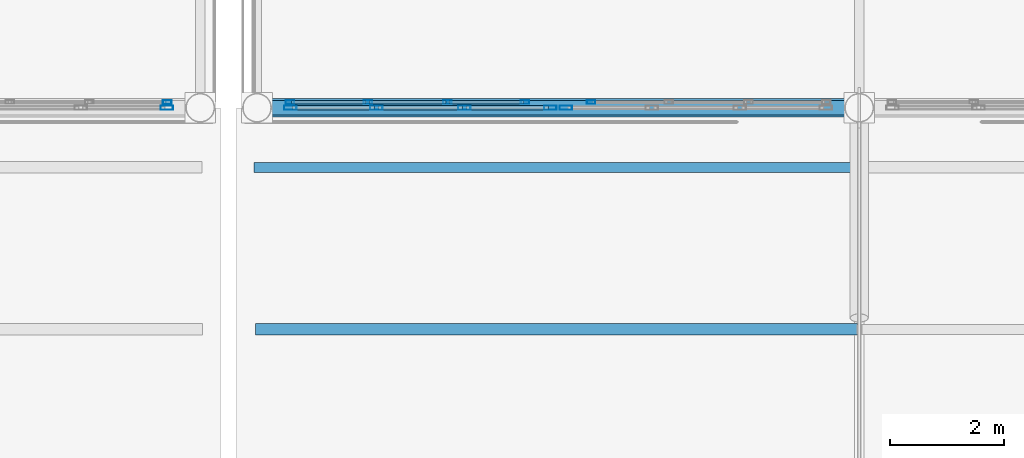
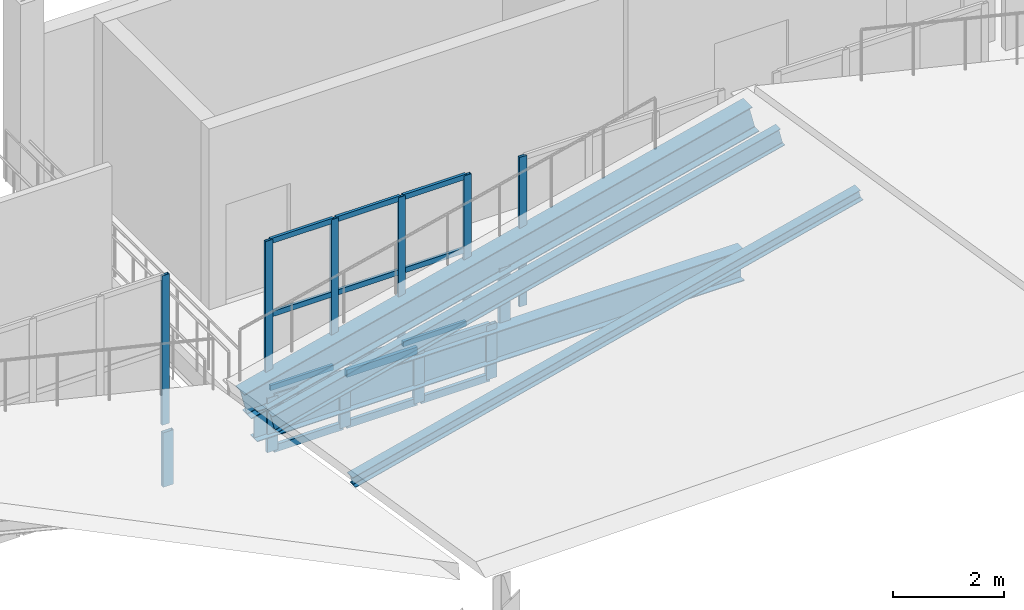
# One storey, part 44 of 120: 29 members, 2 beams, 6 elements without a shape of their own.
"""IFC4 building model written with IfcOpenShell, lengths in metres."""

from ifc_helpers import new_model, si_unit, direction, frame, origin, origin_2d, place, context, subcontext, project, spatial, hollow_rectangle, i_section, extrude, material, material_profile, profile_set, type_object, element, aggregate, save


model = new_model("IFC4")

# Units and contexts
model_context = context("Model", 3, precision=1e-05, world=origin(), true_north=direction((0.0, 1.0)))
body_context = subcontext(model_context, "Body", "Model", "MODEL_VIEW")
ifc_project = project(units=[si_unit("LENGTHUNIT", "METRE"), si_unit("AREAUNIT", "SQUARE_METRE"), si_unit("VOLUMEUNIT", "CUBIC_METRE"), si_unit("PLANEANGLEUNIT", "RADIAN"), si_unit("MASSUNIT", "GRAM", prefix="KILO")], contexts=[model_context])

# Site, building, storey
site_placement = place(None, origin())
site = spatial("IfcSite", under=ifc_project, at=site_placement, CompositionType="ELEMENT")
building_placement = place(site_placement, origin())
building = spatial("IfcBuilding", under=site, at=building_placement, Name="Caurita Quay Ferry Terminal", CompositionType="ELEMENT")
storey_placement = place(building_placement, frame((0.0, 0.0, 9.89990234375)))
storey = spatial("IfcBuildingStorey", under=building, at=storey_placement, Name="L02", CompositionType="ELEMENT", Elevation=9.89990234375)

# Beams
ifc_material_1 = material(Name="Structural steel ASTM A992 Gr. 50", Category="steel")
ifc_material_profile_1 = material_profile(ifc_material_1, i_section(OverallWidth=0.3251953125, OverallDepth=0.612060546875, WebThickness=0.0126953125, FlangeThickness=0.01904296875, FilletRadius=0.01513671875, at=origin_2d()), Name="W24X104")
ifc_profile_set_1 = profile_set([ifc_material_profile_1], Name="Structural steel ASTM A992 Gr. 50")
beam_type_1 = type_object("IfcBeamType", Name="BM-GR-W24A", PredefinedType="BEAM", material=ifc_profile_set_1)
beam_1_placement = place(storey_placement, frame((88.60009765625, 62.699951171875, -0.02978515625), z_axis=(0.970359036142, 0.0, 0.241667831905), x_axis=(0.0, 1.0, 0.0)))
element("IfcBeam", 1, at=beam_1_placement, inside=storey, type_object=beam_type_1, Name="Folded Roof Gable Ring Girder V2-N-89", PredefinedType="BEAM", context=body_context, shape_type="SweptSolid", body=[
    extrude(i_section(OverallWidth=0.3251953125, OverallDepth=0.612060546875, WebThickness=0.0126953125, FlangeThickness=0.01904296875, FilletRadius=0.01513671875, at=origin_2d()), origin(), (0.0, 0.0, 1.0), 10.923583984375),
])
ifc_material_profile_2 = material_profile(ifc_material_1, i_section(OverallWidth=0.25390625, OverallDepth=0.68310546875, WebThickness=0.012451171875, FlangeThickness=0.018798828125, at=origin_2d()), Name="W27X94")
ifc_profile_set_2 = profile_set([ifc_material_profile_2], Name="Structural steel ASTM A992 Gr. 50")
beam_type_2 = type_object("IfcBeamType", Name="BM-GR-W27B", PredefinedType="BEAM", material=ifc_profile_set_2)
beam_2_placement = place(storey_placement, frame((88.81591796875, 62.699951171875, -0.5615234375), z_axis=(1.0, 0.0, 0.0), x_axis=(0.0, 1.0, 0.0)))
element("IfcBeam", 2, at=beam_2_placement, inside=storey, type_object=beam_type_2, Name="L02 Beam BM-V2-L02-X-888-627", PredefinedType="BEAM", context=body_context, shape_type="SweptSolid", body=[
    extrude(i_section(OverallWidth=0.25390625, OverallDepth=0.68310546875, WebThickness=0.012451171875, FlangeThickness=0.018798828125, at=origin_2d()), origin(), (0.0, 0.0, 1.0), 10.168212890625),
])

# Curtain wall, member
ifc_material_2 = material(Name="Laminated solar-control insulated glass", Category="glass")
curtain_wall_type_1 = type_object("IfcCurtainWallType", Name="CW-SYS-14", PredefinedType="NOTDEFINED", material=ifc_material_2)
curtain_wall_1_placement = place(storey_placement, origin())
curtain_wall_1 = element("IfcCurtainWall", 3, at=curtain_wall_1_placement, inside=storey, type_object=curtain_wall_type_1, Name="Mezzanine Hall Overlook Glazing 104", PredefinedType="NOTDEFINED")
ifc_material_3 = material(Name="Anodized aluminium 6063-T6", Category="aluminium")
ifc_material_profile_3 = material_profile(ifc_material_3, hollow_rectangle(XDim=0.06005859375, YDim=0.14990234375, WallThickness=0.00341796875, at=origin_2d()), Name="ALU-MUL-60X150")
ifc_profile_set_3 = profile_set([ifc_material_profile_3], Name="Anodized aluminium 6063-T6")
member_type_1 = type_object("IfcMemberType", Name="CW-MUL-150", PredefinedType="MULLION", material=ifc_profile_set_3)
member_1_placement = place(storey_placement, frame((87.02001953125, 62.800048828125, 0.0), z_axis=(0.0, 0.0, 1.0), x_axis=(0.0, 1.0, 0.0)))
member_1 = element("IfcMember", 4, at=member_1_placement, type_object=member_type_1, Name="CW-MZL-104 Mullion 4", PredefinedType="MULLION", context=body_context, shape_type="SweptSolid", body=[
    extrude(hollow_rectangle(XDim=0.06005859375, YDim=0.14990234375, WallThickness=0.00341796875, at=origin_2d()), origin(), (0.0, 0.0, 1.0), 3.300048828125),
])
aggregate(curtain_wall_1, [member_1])

# Curtain wall, members
curtain_wall_2_placement = place(storey_placement, origin())
curtain_wall_2 = element("IfcCurtainWall", 5, at=curtain_wall_2_placement, inside=storey, type_object=curtain_wall_type_1, Name="Mezzanine Hall Overlook Glazing 105", PredefinedType="NOTDEFINED")
member_2_placement = place(storey_placement, frame((89.179931640625, 62.800048828125, 0.0), z_axis=(0.0, 0.0, 1.0), x_axis=(0.0, 1.0, 0.0)))
member_2 = element("IfcMember", 6, at=member_2_placement, type_object=member_type_1, Name="CW-MZL-105 Mullion 1", PredefinedType="MULLION", context=body_context, shape_type="SweptSolid", body=[
    extrude(hollow_rectangle(XDim=0.06005859375, YDim=0.14990234375, WallThickness=0.00341796875, at=origin_2d()), origin(), (0.0, 0.0, 1.0), 3.300048828125),
])
member_3_placement = place(storey_placement, frame((90.550048828125, 62.800048828125, 0.0), z_axis=(0.0, 0.0, 1.0), x_axis=(0.0, 1.0, 0.0)))
member_3 = element("IfcMember", 7, at=member_3_placement, type_object=member_type_1, Name="CW-MZL-105 Mullion 2", PredefinedType="MULLION", context=body_context, shape_type="SweptSolid", body=[
    extrude(hollow_rectangle(XDim=0.06005859375, YDim=0.14990234375, WallThickness=0.00341796875, at=origin_2d()), origin(), (0.0, 0.0, 1.0), 3.300048828125),
])
member_4_placement = place(storey_placement, frame((91.949951171875, 62.800048828125, 0.0), z_axis=(0.0, 0.0, 1.0), x_axis=(0.0, 1.0, 0.0)))
member_4 = element("IfcMember", 8, at=member_4_placement, type_object=member_type_1, Name="CW-MZL-105 Mullion 3", PredefinedType="MULLION", context=body_context, shape_type="SweptSolid", body=[
    extrude(hollow_rectangle(XDim=0.06005859375, YDim=0.14990234375, WallThickness=0.00341796875, at=origin_2d()), origin(), (0.0, 0.0, 1.0), 3.300048828125),
])
member_5_placement = place(storey_placement, frame((93.320068359375, 62.800048828125, 0.0), z_axis=(0.0, 0.0, 1.0), x_axis=(0.0, 1.0, 0.0)))
member_5 = element("IfcMember", 9, at=member_5_placement, type_object=member_type_1, Name="CW-MZL-105 Mullion 4", PredefinedType="MULLION", context=body_context, shape_type="SweptSolid", body=[
    extrude(hollow_rectangle(XDim=0.06005859375, YDim=0.14990234375, WallThickness=0.00341796875, at=origin_2d()), origin(), (0.0, 0.0, 1.0), 3.300048828125),
])

# Curtain wall, member
curtain_wall_3_placement = place(storey_placement, origin())
curtain_wall_3 = element("IfcCurtainWall", 10, at=curtain_wall_3_placement, inside=storey, type_object=curtain_wall_type_1, Name="Mezzanine Hall Overlook Glazing 106", PredefinedType="NOTDEFINED")
member_6_placement = place(storey_placement, frame((94.47998046875, 62.800048828125, 0.0), z_axis=(0.0, 0.0, 1.0), x_axis=(0.0, 1.0, 0.0)))
member_6 = element("IfcMember", 11, at=member_6_placement, type_object=member_type_1, Name="CW-MZL-106 Mullion 1", PredefinedType="MULLION", context=body_context, shape_type="SweptSolid", body=[
    extrude(hollow_rectangle(XDim=0.06005859375, YDim=0.14990234375, WallThickness=0.00341796875, at=origin_2d()), origin(), (0.0, 0.0, 1.0), 3.300048828125),
])
aggregate(curtain_wall_3, [member_6])

curtain_wall_type_2 = type_object("IfcCurtainWallType", Name="CW-SYS-05", PredefinedType="NOTDEFINED", material=ifc_material_2)
curtain_wall_4_placement = place(storey_placement, origin())
curtain_wall_4 = element("IfcCurtainWall", 12, at=curtain_wall_4_placement, inside=storey, type_object=curtain_wall_type_2, Name="Folded Roof Clerestory FB-04-N4", PredefinedType="NOTDEFINED")
ifc_material_profile_4 = material_profile(ifc_material_3, hollow_rectangle(XDim=0.074951171875, YDim=0.219970703125, WallThickness=0.00390625, at=origin_2d()), Name="ALU-MUL-75X220")
ifc_profile_set_4 = profile_set([ifc_material_profile_4], Name="Anodized aluminium 6063-T6")
member_type_2 = type_object("IfcMemberType", Name="CW-MUL-220", PredefinedType="MULLION", material=ifc_profile_set_4)
member_7_placement = place(storey_placement, frame((87.012451171875, 62.699951171875, -1.286865234375), z_axis=(0.0, 0.0, 1.0), x_axis=(0.0, 1.0, 0.0)))
member_7 = element("IfcMember", 13, at=member_7_placement, type_object=member_type_2, Name="CW-CLR-032 Mullion 4", PredefinedType="MULLION", context=body_context, shape_type="SweptSolid", body=[
    extrude(hollow_rectangle(XDim=0.074951171875, YDim=0.219970703125, WallThickness=0.00390625, at=origin_2d()), origin(), (0.0, 0.0, 1.0), 1.199951171875),
])
aggregate(curtain_wall_4, [member_7])

# Curtain wall, members
curtain_wall_5_placement = place(storey_placement, origin())
curtain_wall_5 = element("IfcCurtainWall", 14, at=curtain_wall_5_placement, inside=storey, type_object=curtain_wall_type_2, Name="Folded Roof Clerestory FB-05-N1", PredefinedType="NOTDEFINED")
member_8_placement = place(storey_placement, frame((89.1875, 62.699951171875, -1.286865234375), z_axis=(0.0, 0.0, 1.0), x_axis=(0.0, 1.0, 0.0)))
member_8 = element("IfcMember", 15, at=member_8_placement, type_object=member_type_2, Name="CW-CLR-037 Mullion 1", PredefinedType="MULLION", context=body_context, shape_type="SweptSolid", body=[
    extrude(hollow_rectangle(XDim=0.074951171875, YDim=0.219970703125, WallThickness=0.00390625, at=origin_2d()), origin(), (0.0, 0.0, 1.0), 1.199951171875),
])
member_9_placement = place(storey_placement, frame((90.699951171875, 62.699951171875, -1.286865234375), z_axis=(0.0, 0.0, 1.0), x_axis=(0.0, 1.0, 0.0)))
member_9 = element("IfcMember", 16, at=member_9_placement, type_object=member_type_2, Name="CW-CLR-037 Mullion 2", PredefinedType="MULLION", context=body_context, shape_type="SweptSolid", body=[
    extrude(hollow_rectangle(XDim=0.074951171875, YDim=0.219970703125, WallThickness=0.00390625, at=origin_2d()), origin(), (0.0, 0.0, 1.0), 1.199951171875),
])
member_10_placement = place(storey_placement, frame((92.25, 62.699951171875, -1.286865234375), z_axis=(0.0, 0.0, 1.0), x_axis=(0.0, 1.0, 0.0)))
member_10 = element("IfcMember", 17, at=member_10_placement, type_object=member_type_2, Name="CW-CLR-037 Mullion 3", PredefinedType="MULLION", context=body_context, shape_type="SweptSolid", body=[
    extrude(hollow_rectangle(XDim=0.074951171875, YDim=0.219970703125, WallThickness=0.00390625, at=origin_2d()), origin(), (0.0, 0.0, 1.0), 1.199951171875),
])
member_11_placement = place(storey_placement, frame((93.762451171875, 62.699951171875, -1.286865234375), z_axis=(0.0, 0.0, 1.0), x_axis=(0.0, 1.0, 0.0)))
member_11 = element("IfcMember", 18, at=member_11_placement, type_object=member_type_2, Name="CW-CLR-037 Mullion 4", PredefinedType="MULLION", context=body_context, shape_type="SweptSolid", body=[
    extrude(hollow_rectangle(XDim=0.074951171875, YDim=0.219970703125, WallThickness=0.00390625, at=origin_2d()), origin(), (0.0, 0.0, 1.0), 1.199951171875),
])

# Curtain wall, member
curtain_wall_6_placement = place(storey_placement, origin())
curtain_wall_6 = element("IfcCurtainWall", 19, at=curtain_wall_6_placement, inside=storey, type_object=curtain_wall_type_2, Name="Folded Roof Clerestory FB-05-N2", PredefinedType="NOTDEFINED")
member_12_placement = place(storey_placement, frame((94.03759765625, 62.699951171875, -0.122802734375), z_axis=(0.0, 0.0, 1.0), x_axis=(0.0, 1.0, 0.0)))
member_12 = element("IfcMember", 20, at=member_12_placement, type_object=member_type_2, Name="CW-CLR-038 Mullion 1", PredefinedType="MULLION", context=body_context, shape_type="SweptSolid", body=[
    extrude(hollow_rectangle(XDim=0.074951171875, YDim=0.219970703125, WallThickness=0.00390625, at=origin_2d()), origin(), (0.0, 0.0, 1.0), 1.199951171875),
])
aggregate(curtain_wall_6, [member_12])

# Member
ifc_material_profile_5 = material_profile(ifc_material_3, hollow_rectangle(XDim=0.06005859375, YDim=0.114990234375, WallThickness=0.00341796875, at=origin_2d()), Name="ALU-TRN-60X115")
ifc_profile_set_5 = profile_set([ifc_material_profile_5], Name="Anodized aluminium 6063-T6")
member_type_3 = type_object("IfcMemberType", Name="CW-TRN-115", PredefinedType="USERDEFINED", material=ifc_profile_set_5)
member_13_placement = place(storey_placement, frame((89.2080078125, 62.800048828125, 0.030029296875), z_axis=(1.0, 0.0, 0.0), x_axis=(0.0, 1.0, 0.0)))
member_13 = element("IfcMember", 21, at=member_13_placement, type_object=member_type_3, Name="CW-MZL-105 Transom 1", ObjectType="TRANSOM", PredefinedType="USERDEFINED", context=body_context, shape_type="SweptSolid", body=[
    extrude(hollow_rectangle(XDim=0.06005859375, YDim=0.114990234375, WallThickness=0.00341796875, at=origin_2d()), origin(), (0.0, 0.0, 1.0), 1.31396484375),
])

member_14_placement = place(storey_placement, frame((89.2080078125, 62.800048828125, 1.650146484375), z_axis=(1.0, 0.0, 0.0), x_axis=(0.0, 1.0, 0.0)))
member_14 = element("IfcMember", 22, at=member_14_placement, type_object=member_type_3, Name="CW-MZL-105 Transom 2", ObjectType="TRANSOM", PredefinedType="USERDEFINED", context=body_context, shape_type="SweptSolid", body=[
    extrude(hollow_rectangle(XDim=0.06005859375, YDim=0.114990234375, WallThickness=0.00341796875, at=origin_2d()), origin(), (0.0, 0.0, 1.0), 1.31396484375),
])

member_15_placement = place(storey_placement, frame((89.2080078125, 62.800048828125, 3.27001953125), z_axis=(1.0, 0.0, 0.0), x_axis=(0.0, 1.0, 0.0)))
member_15 = element("IfcMember", 23, at=member_15_placement, type_object=member_type_3, Name="CW-MZL-105 Transom 3", ObjectType="TRANSOM", PredefinedType="USERDEFINED", context=body_context, shape_type="SweptSolid", body=[
    extrude(hollow_rectangle(XDim=0.06005859375, YDim=0.114990234375, WallThickness=0.00341796875, at=origin_2d()), origin(), (0.0, 0.0, 1.0), 1.31396484375),
])

member_16_placement = place(storey_placement, frame((90.577880859375, 62.800048828125, 0.030029296875), z_axis=(1.0, 0.0, 0.0), x_axis=(0.0, 1.0, 0.0)))
member_16 = element("IfcMember", 24, at=member_16_placement, type_object=member_type_3, Name="CW-MZL-105 Transom 4", ObjectType="TRANSOM", PredefinedType="USERDEFINED", context=body_context, shape_type="SweptSolid", body=[
    extrude(hollow_rectangle(XDim=0.06005859375, YDim=0.114990234375, WallThickness=0.00341796875, at=origin_2d()), origin(), (0.0, 0.0, 1.0), 1.34423828125),
])

member_17_placement = place(storey_placement, frame((90.577880859375, 62.800048828125, 1.650146484375), z_axis=(1.0, 0.0, 0.0), x_axis=(0.0, 1.0, 0.0)))
member_17 = element("IfcMember", 25, at=member_17_placement, type_object=member_type_3, Name="CW-MZL-105 Transom 5", ObjectType="TRANSOM", PredefinedType="USERDEFINED", context=body_context, shape_type="SweptSolid", body=[
    extrude(hollow_rectangle(XDim=0.06005859375, YDim=0.114990234375, WallThickness=0.00341796875, at=origin_2d()), origin(), (0.0, 0.0, 1.0), 1.34423828125),
])

member_18_placement = place(storey_placement, frame((90.577880859375, 62.800048828125, 3.27001953125), z_axis=(1.0, 0.0, 0.0), x_axis=(0.0, 1.0, 0.0)))
member_18 = element("IfcMember", 26, at=member_18_placement, type_object=member_type_3, Name="CW-MZL-105 Transom 6", ObjectType="TRANSOM", PredefinedType="USERDEFINED", context=body_context, shape_type="SweptSolid", body=[
    extrude(hollow_rectangle(XDim=0.06005859375, YDim=0.114990234375, WallThickness=0.00341796875, at=origin_2d()), origin(), (0.0, 0.0, 1.0), 1.34423828125),
])

member_19_placement = place(storey_placement, frame((91.97802734375, 62.800048828125, 0.030029296875), z_axis=(1.0, 0.0, 0.0), x_axis=(0.0, 1.0, 0.0)))
member_19 = element("IfcMember", 27, at=member_19_placement, type_object=member_type_3, Name="CW-MZL-105 Transom 7", ObjectType="TRANSOM", PredefinedType="USERDEFINED", context=body_context, shape_type="SweptSolid", body=[
    extrude(hollow_rectangle(XDim=0.06005859375, YDim=0.114990234375, WallThickness=0.00341796875, at=origin_2d()), origin(), (0.0, 0.0, 1.0), 1.31396484375),
])

member_20_placement = place(storey_placement, frame((91.97802734375, 62.800048828125, 1.650146484375), z_axis=(1.0, 0.0, 0.0), x_axis=(0.0, 1.0, 0.0)))
member_20 = element("IfcMember", 28, at=member_20_placement, type_object=member_type_3, Name="CW-MZL-105 Transom 8", ObjectType="TRANSOM", PredefinedType="USERDEFINED", context=body_context, shape_type="SweptSolid", body=[
    extrude(hollow_rectangle(XDim=0.06005859375, YDim=0.114990234375, WallThickness=0.00341796875, at=origin_2d()), origin(), (0.0, 0.0, 1.0), 1.31396484375),
])

member_21_placement = place(storey_placement, frame((91.97802734375, 62.800048828125, 3.27001953125), z_axis=(1.0, 0.0, 0.0), x_axis=(0.0, 1.0, 0.0)))
member_21 = element("IfcMember", 29, at=member_21_placement, type_object=member_type_3, Name="CW-MZL-105 Transom 9", ObjectType="TRANSOM", PredefinedType="USERDEFINED", context=body_context, shape_type="SweptSolid", body=[
    extrude(hollow_rectangle(XDim=0.06005859375, YDim=0.114990234375, WallThickness=0.00341796875, at=origin_2d()), origin(), (0.0, 0.0, 1.0), 1.31396484375),
])

aggregate(curtain_wall_2, [member_2, member_3, member_4, member_5, member_13, member_14, member_15, member_16, member_17, member_18, member_19, member_20, member_21])

ifc_material_profile_6 = material_profile(ifc_material_3, hollow_rectangle(XDim=0.074951171875, YDim=0.159912109375, WallThickness=0.00390625, at=origin_2d()), Name="ALU-TRN-75X160")
ifc_profile_set_6 = profile_set([ifc_material_profile_6], Name="Anodized aluminium 6063-T6")
member_type_4 = type_object("IfcMemberType", Name="CW-TRN-160", PredefinedType="USERDEFINED", material=ifc_profile_set_6)
member_22_placement = place(storey_placement, frame((89.222900390625, 62.699951171875, -1.24951171875), z_axis=(1.0, 0.0, 0.0), x_axis=(0.0, 1.0, 0.0)))
member_22 = element("IfcMember", 30, at=member_22_placement, type_object=member_type_4, Name="CW-CLR-037 Transom 1", ObjectType="TRANSOM", PredefinedType="USERDEFINED", context=body_context, shape_type="SweptSolid", body=[
    extrude(hollow_rectangle(XDim=0.074951171875, YDim=0.159912109375, WallThickness=0.00390625, at=origin_2d()), origin(), (0.0, 0.0, 1.0), 1.441650390625),
])

member_23_placement = place(storey_placement, frame((89.222900390625, 62.699951171875, -0.12451171875), z_axis=(1.0, 0.0, 0.0), x_axis=(0.0, 1.0, 0.0)))
member_23 = element("IfcMember", 31, at=member_23_placement, type_object=member_type_4, Name="CW-CLR-037 Transom 2", ObjectType="TRANSOM", PredefinedType="USERDEFINED", context=body_context, shape_type="SweptSolid", body=[
    extrude(hollow_rectangle(XDim=0.074951171875, YDim=0.159912109375, WallThickness=0.00390625, at=origin_2d()), origin(), (0.0, 0.0, 1.0), 1.441650390625),
])

member_24_placement = place(storey_placement, frame((90.735595703125, 62.699951171875, -1.24951171875), z_axis=(1.0, 0.0, 0.0), x_axis=(0.0, 1.0, 0.0)))
member_24 = element("IfcMember", 32, at=member_24_placement, type_object=member_type_4, Name="CW-CLR-037 Transom 3", ObjectType="TRANSOM", PredefinedType="USERDEFINED", context=body_context, shape_type="SweptSolid", body=[
    extrude(hollow_rectangle(XDim=0.074951171875, YDim=0.159912109375, WallThickness=0.00390625, at=origin_2d()), origin(), (0.0, 0.0, 1.0), 1.47900390625),
])

member_25_placement = place(storey_placement, frame((90.735595703125, 62.699951171875, -0.12451171875), z_axis=(1.0, 0.0, 0.0), x_axis=(0.0, 1.0, 0.0)))
member_25 = element("IfcMember", 33, at=member_25_placement, type_object=member_type_4, Name="CW-CLR-037 Transom 4", ObjectType="TRANSOM", PredefinedType="USERDEFINED", context=body_context, shape_type="SweptSolid", body=[
    extrude(hollow_rectangle(XDim=0.074951171875, YDim=0.159912109375, WallThickness=0.00390625, at=origin_2d()), origin(), (0.0, 0.0, 1.0), 1.47900390625),
])

member_26_placement = place(storey_placement, frame((92.285400390625, 62.699951171875, -1.24951171875), z_axis=(1.0, 0.0, 0.0), x_axis=(0.0, 1.0, 0.0)))
member_26 = element("IfcMember", 34, at=member_26_placement, type_object=member_type_4, Name="CW-CLR-037 Transom 5", ObjectType="TRANSOM", PredefinedType="USERDEFINED", context=body_context, shape_type="SweptSolid", body=[
    extrude(hollow_rectangle(XDim=0.074951171875, YDim=0.159912109375, WallThickness=0.00390625, at=origin_2d()), origin(), (0.0, 0.0, 1.0), 1.441650390625),
])

member_27_placement = place(storey_placement, frame((92.285400390625, 62.699951171875, -0.12451171875), z_axis=(1.0, 0.0, 0.0), x_axis=(0.0, 1.0, 0.0)))
member_27 = element("IfcMember", 35, at=member_27_placement, type_object=member_type_4, Name="CW-CLR-037 Transom 6", ObjectType="TRANSOM", PredefinedType="USERDEFINED", context=body_context, shape_type="SweptSolid", body=[
    extrude(hollow_rectangle(XDim=0.074951171875, YDim=0.159912109375, WallThickness=0.00390625, at=origin_2d()), origin(), (0.0, 0.0, 1.0), 1.441650390625),
])

aggregate(curtain_wall_5, [member_8, member_9, member_10, member_11, member_22, member_23, member_24, member_25, member_26, member_27])

# Members
ifc_material_profile_7 = material_profile(ifc_material_1, i_section(OverallWidth=0.2021484375, OverallDepth=0.246337890625, WebThickness=0.00732421875, FlangeThickness=0.010986328125, FilletRadius=0.01025390625, at=origin_2d()), Name="W10X33")
ifc_profile_set_7 = profile_set([ifc_material_profile_7], Name="Structural steel ASTM A992 Gr. 50")
member_type_5 = type_object("IfcMemberType", Name="MEM-PUR-10", PredefinedType="PURLIN", material=ifc_profile_set_7)
member_28_placement = place(storey_placement, frame((88.60009765625, 58.800048828125, 0.6240234375), z_axis=(0.970353794824, 0.0, 0.241688876183), x_axis=(0.0, 1.0, 0.0)))
element("IfcMember", 36, at=member_28_placement, inside=storey, type_object=member_type_5, Name="Folded Roof Purlin PUR-089", PredefinedType="PURLIN", context=body_context, shape_type="SweptSolid", body=[
    extrude(i_section(OverallWidth=0.2021484375, OverallDepth=0.246337890625, WebThickness=0.00732421875, FlangeThickness=0.010986328125, FilletRadius=0.01025390625, at=origin_2d()), origin(), (0.0, 0.0, 1.0), 10.923583984375),
])
ifc_material_profile_8 = material_profile(ifc_material_1, i_section(OverallWidth=0.177734375, OverallDepth=0.40380859375, WebThickness=0.007568359375, FlangeThickness=0.010986328125, FilletRadius=0.011474609375, at=origin_2d()), Name="W16X36")
ifc_profile_set_8 = profile_set([ifc_material_profile_8], Name="Structural steel ASTM A992 Gr. 50")
member_type_6 = type_object("IfcMemberType", Name="MEM-PUR-16", PredefinedType="PURLIN", material=ifc_profile_set_8)
member_29_placement = place(storey_placement, frame((88.60009765625, 61.64990234375, 0.168212890625), z_axis=(0.970359036142, 0.0, 0.241667831905), x_axis=(0.0, 1.0, 0.0)))
element("IfcMember", 37, at=member_29_placement, inside=storey, type_object=member_type_6, Name="Folded Roof Purlin PUR-090", PredefinedType="PURLIN", context=body_context, shape_type="SweptSolid", body=[
    extrude(i_section(OverallWidth=0.177734375, OverallDepth=0.40380859375, WebThickness=0.007568359375, FlangeThickness=0.010986328125, FilletRadius=0.011474609375, at=origin_2d()), origin(), (0.0, 0.0, 1.0), 10.923583984375),
])

save(model, "model.ifc")
